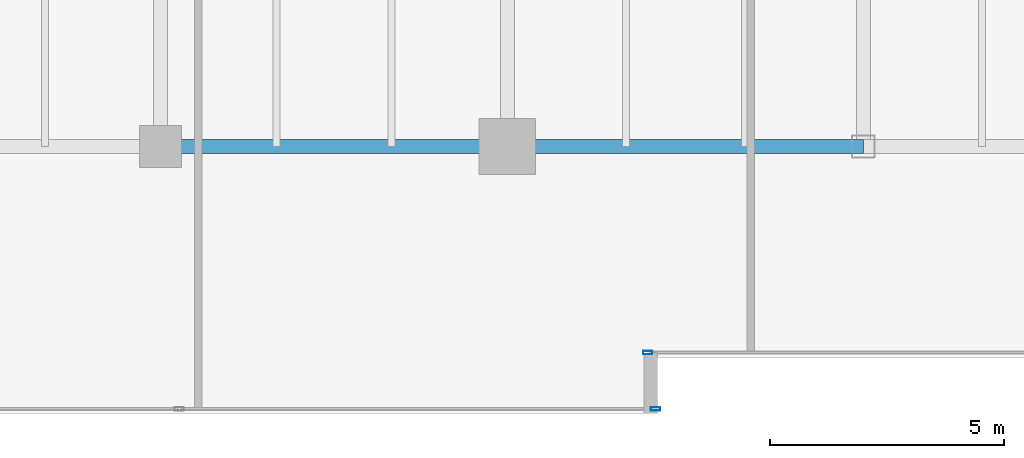
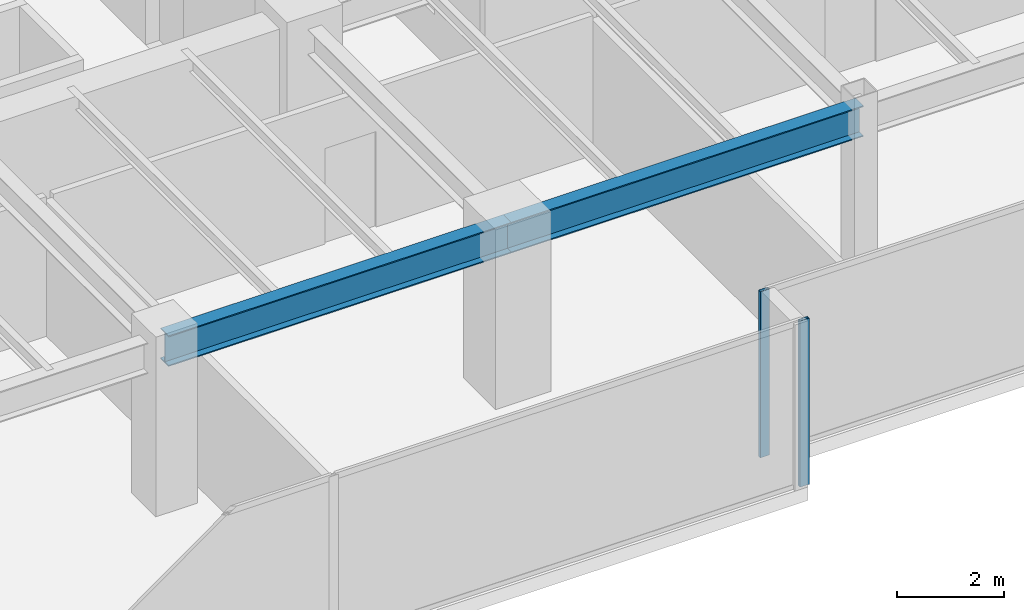
# One storey, part 4 of 30: 2 beams, 2 members, 2 elements without a shape of their own.
"""IFC4 building model written with IfcOpenShell, lengths in metres."""

from ifc_helpers import new_model, si_unit, direction, frame, origin, origin_2d, place, context, subcontext, project, spatial, hollow_rectangle, i_section, extrude, source, transform, mapped, material, layer, layer_set, material_profile, profile_set, type_object, type_shapes, element, aggregate, save


model = new_model("IFC4")

# Units and contexts
model_context = context("Model", 3, precision=1e-05, world=origin(), true_north=direction((0.0, 1.0)))
body_context = subcontext(model_context, "Body", "Model", "MODEL_VIEW")
ifc_project = project(units=[si_unit("LENGTHUNIT", "METRE"), si_unit("AREAUNIT", "SQUARE_METRE"), si_unit("VOLUMEUNIT", "CUBIC_METRE"), si_unit("PLANEANGLEUNIT", "RADIAN"), si_unit("MASSUNIT", "GRAM", prefix="KILO")], contexts=[model_context])

# Site, building, storey
site_placement = place(None, origin())
site = spatial("IfcSite", under=ifc_project, at=site_placement, CompositionType="ELEMENT")
building_placement = place(site_placement, origin())
building = spatial("IfcBuilding", under=site, at=building_placement, Name="Haelvirn Gate Laboratories", CompositionType="ELEMENT")
storey_placement = place(building_placement, frame((0.0, 0.0, 187.10009765625)))
storey = spatial("IfcBuildingStorey", under=building, at=storey_placement, Name="L45", CompositionType="ELEMENT", Elevation=187.10009765625)

# Beams
ifc_material_1 = material(Name="Steel SM355", Category="steel")
ifc_material_profile_1 = material_profile(ifc_material_1, i_section(OverallWidth=0.300048828125, OverallDepth=0.699951171875, WebThickness=0.012939453125, FlangeThickness=0.02392578125, at=origin_2d()), Name="H-700x300x13x24")
ifc_profile_set_1 = profile_set([ifc_material_profile_1], Name="Steel SM355")
beam_type = type_object("IfcBeamType", Name="BM-G-700", PredefinedType="BEAM", material=ifc_profile_set_1)
shared_shape_1 = source(origin(), body_context, "Body", "SweptSolid", [
    extrude(i_section(OverallWidth=0.300048828125, OverallDepth=0.699951171875, WebThickness=0.012939453125, FlangeThickness=0.02392578125, at=origin_2d()), origin(), (0.0, 0.0, 1.0), 7.39990234375),
])
beam_1_placement = place(storey_placement, frame((14.800048828125, 7.0, 3.43994140625), z_axis=(1.0, 0.0, 0.0), x_axis=(0.0, 1.0, 0.0)))
element("IfcBeam", 1, at=beam_1_placement, inside=storey, type_object=beam_type, Name="L45 Primary Girder Y7.0 (14.8-22.2)", PredefinedType="BEAM", context=body_context, shape_type="MappedRepresentation", body=[
    mapped(shared_shape_1, transform((0.0, 0.0, 0.0), scale=1.0)),
])
shared_shape_2 = source(origin(), body_context, "Body", "SweptSolid", [
    extrude(i_section(OverallWidth=0.300048828125, OverallDepth=0.699951171875, WebThickness=0.012939453125, FlangeThickness=0.02392578125, at=origin_2d()), origin(), (0.0, 0.0, 1.0), 7.60009765625),
])
type_shapes(beam_type, [shared_shape_1, shared_shape_2])
beam_2_placement = place(storey_placement, frame((22.199951171875, 7.0, 3.43994140625), z_axis=(1.0, 0.0, 0.0), x_axis=(0.0, 1.0, 0.0)))
element("IfcBeam", 2, at=beam_2_placement, inside=storey, type_object=beam_type, Name="L45 Primary Girder Y7.0 (22.2-29.8)", PredefinedType="BEAM", context=body_context, shape_type="MappedRepresentation", body=[
    mapped(shared_shape_2, transform((0.0, 0.0, 0.0), scale=1.0)),
])

# Curtain wall, member
ifc_material_2 = material(Name="Anodised bronze unitised aluminium & triple low-E glass", Category="aluminium")
ifc_layer = layer(ifc_material_2, 0.179931640625, Name="CW-SYS-3")
ifc_layer_set = layer_set([ifc_layer], Name="Anodised bronze unitised aluminium & triple low-E glass")
curtain_wall_type = type_object("IfcCurtainWallType", Name="CW-SYS-3", PredefinedType="NOTDEFINED", material=ifc_layer_set)
curtain_wall_1_placement = place(storey_placement, origin())
curtain_wall_1 = element("IfcCurtainWall", 3, at=curtain_wall_1_placement, inside=storey, type_object=curtain_wall_type, Name="L45 Unitised Curtain Wall CW-L45-P0-E00-1", PredefinedType="NOTDEFINED")
ifc_material_3 = material(Name="Extruded aluminium 6063-T6 (anodised bronze)", Category="aluminium")
ifc_material_profile_2 = material_profile(ifc_material_3, hollow_rectangle(XDim=0.074951171875, YDim=0.199951171875, WallThickness=0.0048828125, at=origin_2d()), Name="CWM-200x75x5")
ifc_profile_set_2 = profile_set([ifc_material_profile_2], Name="Extruded aluminium 6063-T6 (anodised bronze)")
member_type = type_object("IfcMemberType", Name="CWM-T200", PredefinedType="MULLION", material=ifc_profile_set_2)
shared_shape_3 = source(origin(), body_context, "Body", "SweptSolid", [
    extrude(hollow_rectangle(XDim=0.074951171875, YDim=0.199951171875, WallThickness=0.0048828125, at=origin_2d()), origin(), (0.0, 0.0, 1.0), 3.789794921875),
])
type_shapes(member_type, [shared_shape_3])
member_1_placement = place(storey_placement, frame((25.362548828125, 1.39990234375, 0.0), z_axis=(0.0, 0.0, 1.0), x_axis=(0.0, 1.0, 0.0)))
member_1 = element("IfcMember", 4, at=member_1_placement, type_object=member_type, Name="CW3 mullion 3", PredefinedType="MULLION", context=body_context, shape_type="MappedRepresentation", body=[
    mapped(shared_shape_3, transform((0.0, 0.0, 0.0), scale=1.0)),
])
aggregate(curtain_wall_1, [member_1])

curtain_wall_2_placement = place(storey_placement, origin())
curtain_wall_2 = element("IfcCurtainWall", 5, at=curtain_wall_2_placement, inside=storey, type_object=curtain_wall_type, Name="L45 Unitised Curtain Wall CW-L45-P0-E02-1", PredefinedType="NOTDEFINED")
member_2_placement = place(storey_placement, frame((25.197509765625, 2.60009765625, 0.0), z_axis=(0.0, 0.0, 1.0), x_axis=(0.0, 1.0, 0.0)))
member_2 = element("IfcMember", 6, at=member_2_placement, type_object=member_type, Name="CW3 mullion 1", PredefinedType="MULLION", context=body_context, shape_type="MappedRepresentation", body=[
    mapped(shared_shape_3, transform((0.0, 0.0, 0.0), scale=1.0)),
])
aggregate(curtain_wall_2, [member_2])

save(model, "model.ifc")
